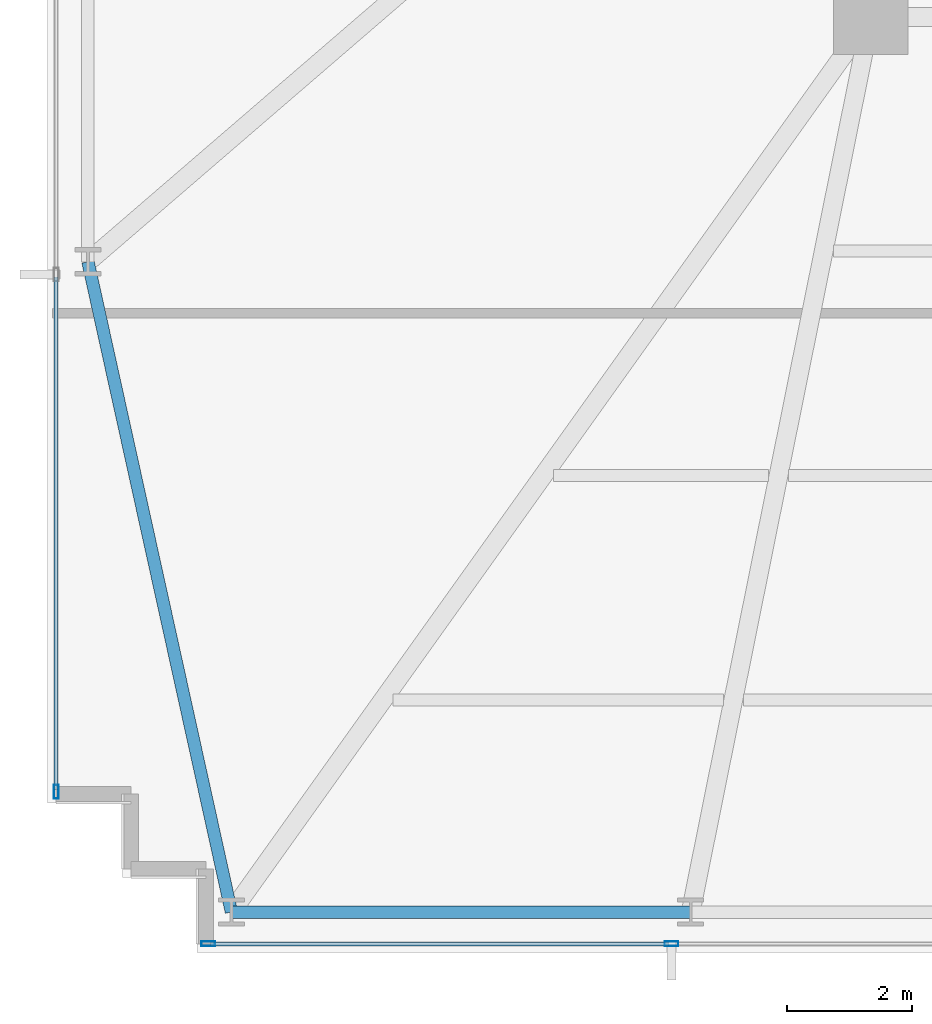
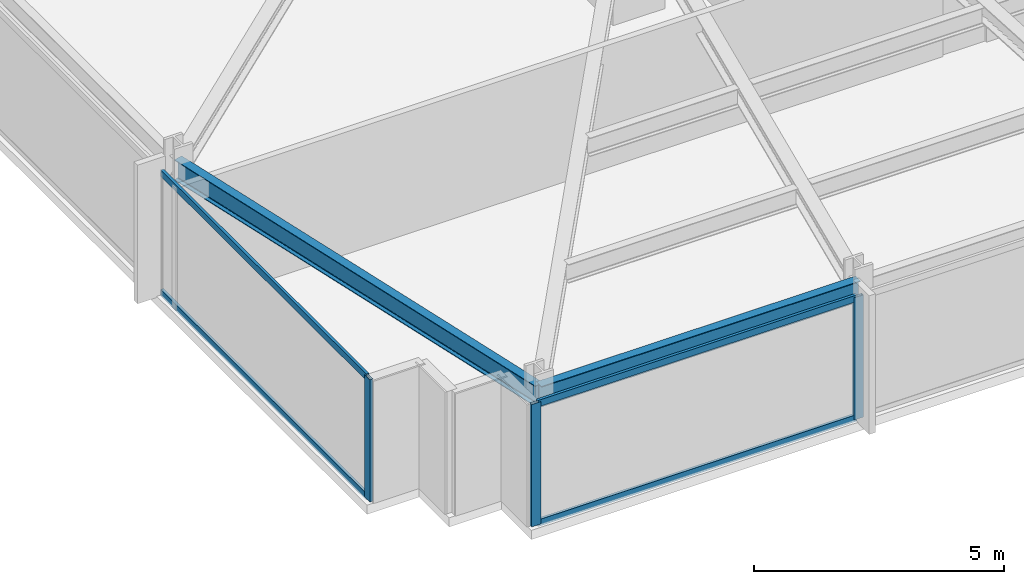
# One storey, part 2 of 32: 7 members, 2 beams, 2 elements without a shape of their own.
"""IFC4 building model written with IfcOpenShell, lengths in metres."""

from ifc_helpers import new_model, si_unit, direction, frame, origin, origin_2d, place, context, subcontext, project, spatial, hollow_rectangle, i_section, extrude, material, material_profile, profile_set, type_object, element, aggregate, save


model = new_model("IFC4")

# Units and contexts
model_context = context("Model", 3, precision=1e-05, world=origin(), true_north=direction((0.0, 1.0)))
body_context = subcontext(model_context, "Body", "Model", "MODEL_VIEW")
ifc_project = project(units=[si_unit("LENGTHUNIT", "METRE"), si_unit("AREAUNIT", "SQUARE_METRE"), si_unit("VOLUMEUNIT", "CUBIC_METRE"), si_unit("PLANEANGLEUNIT", "RADIAN"), si_unit("MASSUNIT", "GRAM", prefix="KILO")], contexts=[model_context])

# Site, building, storey
site_placement = place(None, origin())
site = spatial("IfcSite", under=ifc_project, at=site_placement, CompositionType="ELEMENT")
building_placement = place(site_placement, origin())
building = spatial("IfcBuilding", under=site, at=building_placement, Name="Yelkora Congress Tower", CompositionType="ELEMENT")
storey_placement = place(building_placement, frame((0.0, 0.0, 74.60009765625)))
storey = spatial("IfcBuildingStorey", under=building, at=storey_placement, Name="L19", CompositionType="ELEMENT", Elevation=74.60009765625)

# Beams
ifc_material_1 = material(Name="Steel S355J2", Category="steel")
ifc_material_profile_1 = material_profile(ifc_material_1, i_section(OverallWidth=0.199951171875, OverallDepth=0.5, WebThickness=0.01025390625, FlangeThickness=0.01611328125, FilletRadius=0.02099609375, at=origin_2d()), Name="IPE 500")
ifc_profile_set_1 = profile_set([ifc_material_profile_1], Name="Steel S355J2")
beam_type = type_object("IfcBeamType", Name="BM-SPAN-IPE500", PredefinedType="SPANDREL", material=ifc_profile_set_1)
beam_1_placement = place(storey_placement, frame((6.64990234375, 21.27490234375, 2.72998046875), z_axis=(0.215450706142, -0.976514717361, 0.0), x_axis=(0.976514717361, 0.215450706142, 0.0)))
element("IfcBeam", 1, at=beam_1_placement, inside=storey, type_object=beam_type, Name="L19 Perimeter Beam 1", PredefinedType="SPANDREL", context=body_context, shape_type="SweptSolid", body=[
    extrude(i_section(OverallWidth=0.199951171875, OverallDepth=0.5, WebThickness=0.01025390625, FlangeThickness=0.01611328125, FilletRadius=0.02099609375, at=origin_2d()), origin(), (0.0, 0.0, 1.0), 10.675537109375),
])
beam_2_placement = place(storey_placement, frame((8.949951171875, 10.85009765625, 2.72998046875), z_axis=(1.0, 0.0, 0.0), x_axis=(0.0, 1.0, 0.0)))
element("IfcBeam", 2, at=beam_2_placement, inside=storey, type_object=beam_type, Name="L19 Perimeter Beam 2", PredefinedType="SPANDREL", context=body_context, shape_type="SweptSolid", body=[
    extrude(i_section(OverallWidth=0.199951171875, OverallDepth=0.5, WebThickness=0.01025390625, FlangeThickness=0.01611328125, FilletRadius=0.02099609375, at=origin_2d()), origin(), (0.0, 0.0, 1.0), 7.362548828125),
])

# Curtain wall, member
ifc_material_2 = material(Name="Anodised aluminium and insulated glass", Category="aluminium")
curtain_wall_type = type_object("IfcCurtainWallType", Name="CW-SYS-B1", PredefinedType="NOTDEFINED", material=ifc_material_2)
curtain_wall_1_placement = place(storey_placement, origin())
curtain_wall_1 = element("IfcCurtainWall", 3, at=curtain_wall_1_placement, inside=storey, type_object=curtain_wall_type, Name="L19 Unitised Curtain Wall 5", PredefinedType="NOTDEFINED")
ifc_material_3 = material(Name="Anodised aluminium 6063-T6", Category="aluminium")
ifc_material_profile_2 = material_profile(ifc_material_3, hollow_rectangle(XDim=0.074951171875, YDim=0.219970703125, WallThickness=0.0048828125, at=origin_2d()), Name="ALU 75x220x5")
ifc_profile_set_2 = profile_set([ifc_material_profile_2], Name="Anodised aluminium 6063-T6")
member_type_1 = type_object("IfcMemberType", Name="MEM-ML-B1", PredefinedType="MULLION", material=ifc_profile_set_2)
member_1_placement = place(storey_placement, frame((6.139892578125, 12.777587890625, 0.0), z_axis=(0.0, 0.0, 1.0), x_axis=(-1.0, 0.0, 0.0)))
member_1 = element("IfcMember", 4, at=member_1_placement, type_object=member_type_1, Name="CW-B1 mullion 1", PredefinedType="MULLION", context=body_context, shape_type="SweptSolid", body=[
    extrude(hollow_rectangle(XDim=0.074951171875, YDim=0.219970703125, WallThickness=0.0048828125, at=origin_2d()), origin(), (0.0, 0.0, 1.0), 2.97998046875),
])

# Curtain wall, members
curtain_wall_2_placement = place(storey_placement, origin())
curtain_wall_2 = element("IfcCurtainWall", 5, at=curtain_wall_2_placement, inside=storey, type_object=curtain_wall_type, Name="L19 Unitised Curtain Wall 20", PredefinedType="NOTDEFINED")
member_2_placement = place(storey_placement, frame((16.0048828125, 10.340087890625, 0.0), z_axis=(0.0, 0.0, 1.0), x_axis=(0.0, -1.0, 0.0)))
member_2 = element("IfcMember", 6, at=member_2_placement, type_object=member_type_1, Name="CW-B1 mullion 8", PredefinedType="MULLION", context=body_context, shape_type="SweptSolid", body=[
    extrude(hollow_rectangle(XDim=0.074951171875, YDim=0.219970703125, WallThickness=0.0048828125, at=origin_2d()), origin(), (0.0, 0.0, 1.0), 2.97998046875),
])
member_3_placement = place(storey_placement, frame((8.577392578125, 10.340087890625, 0.0), z_axis=(0.0, 0.0, 1.0), x_axis=(0.0, -1.0, 0.0)))
member_3 = element("IfcMember", 7, at=member_3_placement, type_object=member_type_1, Name="CW-B1 mullion 9", PredefinedType="MULLION", context=body_context, shape_type="SweptSolid", body=[
    extrude(hollow_rectangle(XDim=0.074951171875, YDim=0.219970703125, WallThickness=0.0048828125, at=origin_2d()), origin(), (0.0, 0.0, 1.0), 2.97998046875),
])

# Member
ifc_material_profile_3 = material_profile(ifc_material_3, hollow_rectangle(XDim=0.06494140625, YDim=0.159912109375, WallThickness=0.00390625, at=origin_2d()), Name="ALU 65x160x4")
ifc_profile_set_3 = profile_set([ifc_material_profile_3], Name="Anodised aluminium 6063-T6")
member_type_2 = type_object("IfcMemberType", Name="MEM-TR-B1", PredefinedType="USERDEFINED", material=ifc_profile_set_3)
member_4_placement = place(storey_placement, frame((6.139892578125, 12.81494140625, 0.032470703125), z_axis=(0.0, 1.0, 0.0), x_axis=(-1.0, 0.0, 0.0)))
member_4 = element("IfcMember", 8, at=member_4_placement, type_object=member_type_2, Name="CW-B1 transom 1.1", ObjectType="TRANSOM", PredefinedType="USERDEFINED", context=body_context, shape_type="SweptSolid", body=[
    extrude(hollow_rectangle(XDim=0.06494140625, YDim=0.159912109375, WallThickness=0.00390625, at=origin_2d()), origin(), (0.0, 0.0, 1.0), 8.217529296875),
])

member_5_placement = place(storey_placement, frame((6.139892578125, 12.81494140625, 2.947509765625), z_axis=(0.0, 1.0, 0.0), x_axis=(-1.0, 0.0, 0.0)))
member_5 = element("IfcMember", 9, at=member_5_placement, type_object=member_type_2, Name="CW-B1 transom 1.2", ObjectType="TRANSOM", PredefinedType="USERDEFINED", context=body_context, shape_type="SweptSolid", body=[
    extrude(hollow_rectangle(XDim=0.06494140625, YDim=0.159912109375, WallThickness=0.00390625, at=origin_2d()), origin(), (0.0, 0.0, 1.0), 8.217529296875),
])

aggregate(curtain_wall_1, [member_1, member_4, member_5])

member_6_placement = place(storey_placement, frame((15.967529296875, 10.340087890625, 0.032470703125), z_axis=(-1.0, 0.0, 0.0), x_axis=(0.0, -1.0, 0.0)))
member_6 = element("IfcMember", 10, at=member_6_placement, type_object=member_type_2, Name="CW-B1 transom 8.1", ObjectType="TRANSOM", PredefinedType="USERDEFINED", context=body_context, shape_type="SweptSolid", body=[
    extrude(hollow_rectangle(XDim=0.06494140625, YDim=0.159912109375, WallThickness=0.00390625, at=origin_2d()), origin(), (0.0, 0.0, 1.0), 7.3525390625),
])

member_7_placement = place(storey_placement, frame((15.967529296875, 10.340087890625, 2.947509765625), z_axis=(-1.0, 0.0, 0.0), x_axis=(0.0, -1.0, 0.0)))
member_7 = element("IfcMember", 11, at=member_7_placement, type_object=member_type_2, Name="CW-B1 transom 8.2", ObjectType="TRANSOM", PredefinedType="USERDEFINED", context=body_context, shape_type="SweptSolid", body=[
    extrude(hollow_rectangle(XDim=0.06494140625, YDim=0.159912109375, WallThickness=0.00390625, at=origin_2d()), origin(), (0.0, 0.0, 1.0), 7.3525390625),
])

aggregate(curtain_wall_2, [member_2, member_3, member_6, member_7])

save(model, "model.ifc")
